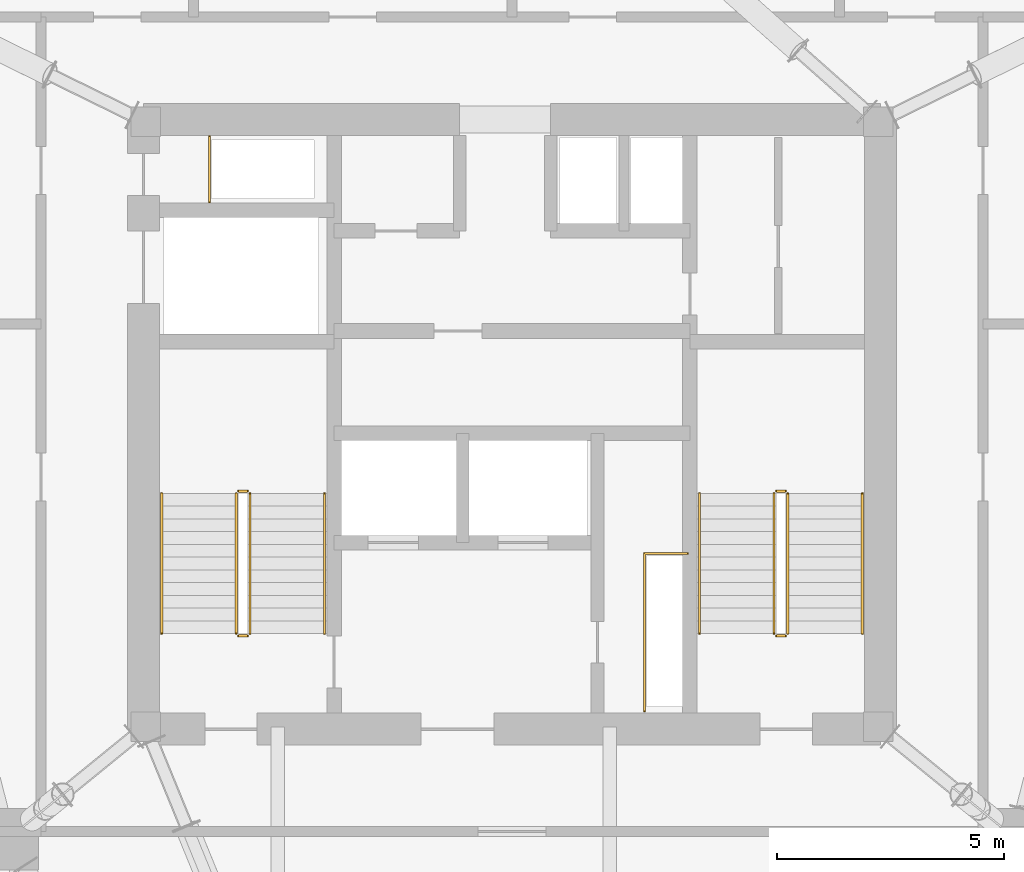
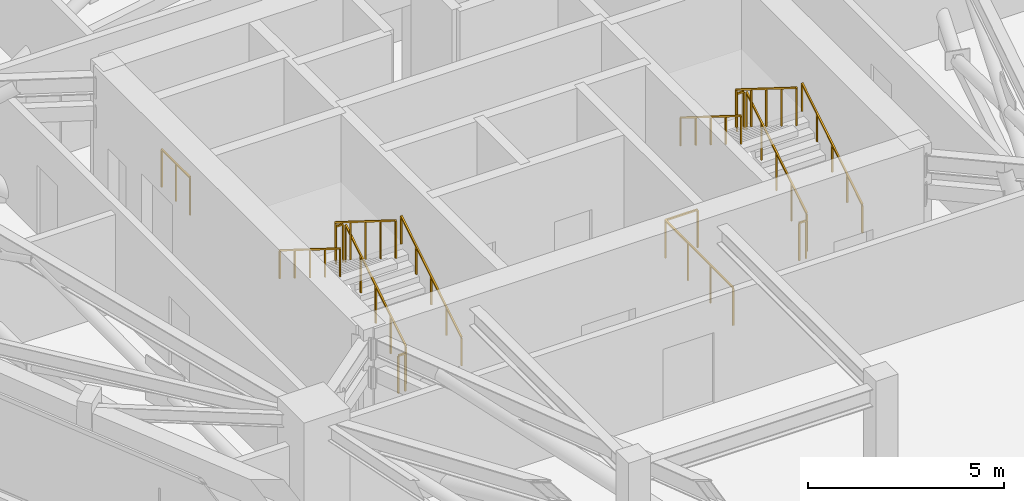
# One storey, part 12 of 12: 14 railings.
"""IFC4 building model written with IfcOpenShell, lengths in metres."""

from ifc_helpers import new_model, si_unit, direction, frame, origin, origin_2d, place, context, subcontext, project, spatial, rectangle, extrude, material, type_object, element, save


model = new_model("IFC4")

# Units and contexts
model_context = context("Model", 3, precision=1e-05, world=origin(), true_north=direction((0.0, 1.0)))
body_context = subcontext(model_context, "Body", "Model", "MODEL_VIEW")
ifc_project = project(units=[si_unit("LENGTHUNIT", "METRE"), si_unit("AREAUNIT", "SQUARE_METRE"), si_unit("VOLUMEUNIT", "CUBIC_METRE"), si_unit("PLANEANGLEUNIT", "RADIAN"), si_unit("MASSUNIT", "GRAM", prefix="KILO")], contexts=[model_context])

# Site, building, storey
site_placement = place(None, origin())
site = spatial("IfcSite", under=ifc_project, at=site_placement, CompositionType="ELEMENT")
building_placement = place(site_placement, origin())
building = spatial("IfcBuilding", under=site, at=building_placement, Name="Talyreon Biosciences Tower", CompositionType="ELEMENT")
storey_placement = place(building_placement, frame((0.0, 0.0, 223.199951171875)))
storey = spatial("IfcBuildingStorey", under=building, at=storey_placement, Name="L59", CompositionType="ELEMENT", Elevation=223.199951171875)

# Railings
ifc_material_1 = material(Name="Brushed stainless-steel tubular handrail", Category="steel")
railing_type_1 = type_object("IfcRailingType", Name="StairWallHandrail_900", PredefinedType="HANDRAIL", material=ifc_material_1)
railing_1_placement = place(storey_placement, frame((61.8798828125, 63.39990234375, 0.175048828125)))
element("IfcRailing", 1, at=railing_1_placement, inside=storey, type_object=railing_type_1, Name="L59 ST-1 stair handrail 1", PredefinedType="HANDRAIL", context=body_context, shape_type="SweptSolid", body=[
    extrude(rectangle(XDim=0.048095703125, YDim=0.048095703125, at=origin_2d()), frame((0.0, 0.0, 0.8759765625), z_axis=(0.0, 0.847998304005, 0.529998940003), x_axis=(-1.0, 0.0, 0.0)), (0.0, 0.0, 1.0), 3.632080078125),
    extrude(rectangle(XDim=0.0419921875, YDim=0.0419921875, at=origin_2d()), origin(), (0.0, 0.0, 1.0), 0.851806640625),
    extrude(rectangle(XDim=0.0419921875, YDim=0.0419921875, at=origin_2d()), frame((0.0, 0.77001953125, 0.481201171875)), (0.0, 0.0, 1.0), 0.851806640625),
    extrude(rectangle(XDim=0.0419921875, YDim=0.0419921875, at=origin_2d()), frame((0.0, 1.5400390625, 0.96240234375)), (0.0, 0.0, 1.0), 0.851806640625),
    extrude(rectangle(XDim=0.0419921875, YDim=0.0419921875, at=origin_2d()), frame((0.0, 2.31005859375, 1.44384765625)), (0.0, 0.0, 1.0), 0.851806640625),
    extrude(rectangle(XDim=0.0419921875, YDim=0.0419921875, at=origin_2d()), frame((0.0, 3.080078125, 1.925048828125)), (0.0, 0.0, 1.0), 0.851806640625),
])
railing_2_placement = place(storey_placement, frame((58.300048828125, 66.47998046875, 2.275146484375)))
element("IfcRailing", 2, at=railing_2_placement, inside=storey, type_object=railing_type_1, Name="L59 ST-1 stair handrail 2", PredefinedType="HANDRAIL", context=body_context, shape_type="SweptSolid", body=[
    extrude(rectangle(XDim=0.048095703125, YDim=0.048095703125, at=origin_2d()), frame((0.0, 0.0, 0.8759765625), z_axis=(0.0, -0.848028513186, 0.529950602248), x_axis=(1.0, 0.0, 0.0)), (0.0, 0.0, 1.0), 3.632080078125),
    extrude(rectangle(XDim=0.0419921875, YDim=0.0419921875, at=origin_2d()), origin(), (0.0, 0.0, 1.0), 0.851806640625),
    extrude(rectangle(XDim=0.0419921875, YDim=0.0419921875, at=origin_2d()), frame((0.0, -0.77001953125, 0.481201171875)), (0.0, 0.0, 1.0), 0.851806640625),
    extrude(rectangle(XDim=0.0419921875, YDim=0.0419921875, at=origin_2d()), frame((0.0, -1.5400390625, 0.96240234375)), (0.0, 0.0, 1.0), 0.851806640625),
    extrude(rectangle(XDim=0.0419921875, YDim=0.0419921875, at=origin_2d()), frame((0.0, -2.31005859375, 1.443603515625)), (0.0, 0.0, 1.0), 0.851806640625),
    extrude(rectangle(XDim=0.0419921875, YDim=0.0419921875, at=origin_2d()), frame((0.0, -3.080078125, 1.9248046875)), (0.0, 0.0, 1.0), 0.851806640625),
])
railing_3_placement = place(storey_placement, frame((73.699951171875, 63.39990234375, 0.175048828125)))
element("IfcRailing", 3, at=railing_3_placement, inside=storey, type_object=railing_type_1, Name="L59 ST-2 stair handrail 1", PredefinedType="HANDRAIL", context=body_context, shape_type="SweptSolid", body=[
    extrude(rectangle(XDim=0.048095703125, YDim=0.048095703125, at=origin_2d()), frame((0.0, 0.0, 0.8759765625), z_axis=(0.0, 0.847998304005, 0.529998940003), x_axis=(-1.0, 0.0, 0.0)), (0.0, 0.0, 1.0), 3.632080078125),
    extrude(rectangle(XDim=0.0419921875, YDim=0.0419921875, at=origin_2d()), origin(), (0.0, 0.0, 1.0), 0.851806640625),
    extrude(rectangle(XDim=0.0419921875, YDim=0.0419921875, at=origin_2d()), frame((0.0, 0.77001953125, 0.481201171875)), (0.0, 0.0, 1.0), 0.851806640625),
    extrude(rectangle(XDim=0.0419921875, YDim=0.0419921875, at=origin_2d()), frame((0.0, 1.5400390625, 0.96240234375)), (0.0, 0.0, 1.0), 0.851806640625),
    extrude(rectangle(XDim=0.0419921875, YDim=0.0419921875, at=origin_2d()), frame((0.0, 2.31005859375, 1.44384765625)), (0.0, 0.0, 1.0), 0.851806640625),
    extrude(rectangle(XDim=0.0419921875, YDim=0.0419921875, at=origin_2d()), frame((0.0, 3.080078125, 1.925048828125)), (0.0, 0.0, 1.0), 0.851806640625),
])
railing_4_placement = place(storey_placement, frame((70.1201171875, 66.47998046875, 2.275146484375)))
element("IfcRailing", 4, at=railing_4_placement, inside=storey, type_object=railing_type_1, Name="L59 ST-2 stair handrail 2", PredefinedType="HANDRAIL", context=body_context, shape_type="SweptSolid", body=[
    extrude(rectangle(XDim=0.048095703125, YDim=0.048095703125, at=origin_2d()), frame((0.0, 0.0, 0.8759765625), z_axis=(0.0, -0.848028513186, 0.529950602248), x_axis=(1.0, 0.0, 0.0)), (0.0, 0.0, 1.0), 3.632080078125),
    extrude(rectangle(XDim=0.0419921875, YDim=0.0419921875, at=origin_2d()), origin(), (0.0, 0.0, 1.0), 0.851806640625),
    extrude(rectangle(XDim=0.0419921875, YDim=0.0419921875, at=origin_2d()), frame((0.0, -0.77001953125, 0.481201171875)), (0.0, 0.0, 1.0), 0.851806640625),
    extrude(rectangle(XDim=0.0419921875, YDim=0.0419921875, at=origin_2d()), frame((0.0, -1.5400390625, 0.96240234375)), (0.0, 0.0, 1.0), 0.851806640625),
    extrude(rectangle(XDim=0.0419921875, YDim=0.0419921875, at=origin_2d()), frame((0.0, -2.31005859375, 1.443603515625)), (0.0, 0.0, 1.0), 0.851806640625),
    extrude(rectangle(XDim=0.0419921875, YDim=0.0419921875, at=origin_2d()), frame((0.0, -3.080078125, 1.9248046875)), (0.0, 0.0, 1.0), 0.851806640625),
])
ifc_material_2 = material(Name="Painted galvanised steel post-and-rail balustrade", Category="steel")
railing_type_2 = type_object("IfcRailingType", Name="TerraceStairGuard_1200", PredefinedType="GUARDRAIL", material=ifc_material_2)
railing_5_placement = place(storey_placement, frame((60.239990234375, 63.39990234375, 0.175048828125)))
element("IfcRailing", 5, at=railing_5_placement, inside=storey, type_object=railing_type_2, Name="L59 ST-1 stair guard 1", PredefinedType="GUARDRAIL", context=body_context, shape_type="SweptSolid", body=[
    extrude(rectangle(XDim=0.048095703125, YDim=0.048095703125, at=origin_2d()), frame((0.0, 0.0, 1.17578125), z_axis=(0.0, 0.847998304005, 0.529998940003), x_axis=(-1.0, 0.0, 0.0)), (0.0, 0.0, 1.0), 3.632080078125),
    extrude(rectangle(XDim=0.0419921875, YDim=0.0419921875, at=origin_2d()), origin(), (0.0, 0.0, 1.0), 1.15185546875),
    extrude(rectangle(XDim=0.0419921875, YDim=0.0419921875, at=origin_2d()), frame((0.0, 0.77001953125, 0.481201171875)), (0.0, 0.0, 1.0), 1.15185546875),
    extrude(rectangle(XDim=0.0419921875, YDim=0.0419921875, at=origin_2d()), frame((0.0, 1.5400390625, 0.96240234375)), (0.0, 0.0, 1.0), 1.15185546875),
    extrude(rectangle(XDim=0.0419921875, YDim=0.0419921875, at=origin_2d()), frame((0.0, 2.31005859375, 1.44384765625)), (0.0, 0.0, 1.0), 1.15185546875),
    extrude(rectangle(XDim=0.0419921875, YDim=0.0419921875, at=origin_2d()), frame((0.0, 3.080078125, 1.925048828125)), (0.0, 0.0, 1.0), 1.15185546875),
])
railing_6_placement = place(storey_placement, frame((60.18994140625, 66.530029296875, 2.10009765625)))
element("IfcRailing", 6, at=railing_6_placement, inside=storey, type_object=railing_type_2, Name="L59 ST-1 stair guard 2", PredefinedType="GUARDRAIL", context=body_context, shape_type="SweptSolid", body=[
    extrude(rectangle(XDim=0.048095703125, YDim=0.048095703125, at=origin_2d()), frame((0.0, 0.0, 1.17578125), z_axis=(-1.0, 0.0, 0.0), x_axis=(0.0, -1.0, 0.0)), (0.0, 0.0, 1.0), 0.199951171875),
    extrude(rectangle(XDim=0.0419921875, YDim=0.0419921875, at=origin_2d()), origin(), (0.0, 0.0, 1.0), 1.15185546875),
    extrude(rectangle(XDim=0.0419921875, YDim=0.0419921875, at=origin_2d()), frame((-0.199951171875, 0.0, 0.0)), (0.0, 0.0, 1.0), 1.15185546875),
])
railing_7_placement = place(storey_placement, frame((59.93994140625, 66.47998046875, 2.275146484375)))
element("IfcRailing", 7, at=railing_7_placement, inside=storey, type_object=railing_type_2, Name="L59 ST-1 stair guard 3", PredefinedType="GUARDRAIL", context=body_context, shape_type="SweptSolid", body=[
    extrude(rectangle(XDim=0.048095703125, YDim=0.048095703125, at=origin_2d()), frame((0.0, 0.0, 1.17578125), z_axis=(0.0, -0.848028513186, 0.529950602248), x_axis=(1.0, 0.0, 0.0)), (0.0, 0.0, 1.0), 3.632080078125),
    extrude(rectangle(XDim=0.0419921875, YDim=0.0419921875, at=origin_2d()), origin(), (0.0, 0.0, 1.0), 1.15185546875),
    extrude(rectangle(XDim=0.0419921875, YDim=0.0419921875, at=origin_2d()), frame((0.0, -0.77001953125, 0.481201171875)), (0.0, 0.0, 1.0), 1.15185546875),
    extrude(rectangle(XDim=0.0419921875, YDim=0.0419921875, at=origin_2d()), frame((0.0, -1.5400390625, 0.96240234375)), (0.0, 0.0, 1.0), 1.15185546875),
    extrude(rectangle(XDim=0.0419921875, YDim=0.0419921875, at=origin_2d()), frame((0.0, -2.31005859375, 1.443603515625)), (0.0, 0.0, 1.0), 1.15185546875),
    extrude(rectangle(XDim=0.0419921875, YDim=0.0419921875, at=origin_2d()), frame((0.0, -3.080078125, 1.9248046875)), (0.0, 0.0, 1.0), 1.15185546875),
])
railing_8_placement = place(storey_placement, frame((60.18994140625, 63.35009765625, 0.0)))
element("IfcRailing", 8, at=railing_8_placement, inside=storey, type_object=railing_type_2, Name="L59 ST-1 stair guard 4", PredefinedType="GUARDRAIL", context=body_context, shape_type="SweptSolid", body=[
    extrude(rectangle(XDim=0.048095703125, YDim=0.048095703125, at=origin_2d()), frame((0.0, 0.0, 1.17578125), z_axis=(-1.0, 0.0, 0.0), x_axis=(0.0, -1.0, 0.0)), (0.0, 0.0, 1.0), 0.199951171875),
    extrude(rectangle(XDim=0.0419921875, YDim=0.0419921875, at=origin_2d()), origin(), (0.0, 0.0, 1.0), 1.15185546875),
    extrude(rectangle(XDim=0.0419921875, YDim=0.0419921875, at=origin_2d()), frame((-0.199951171875, 0.0, 0.0)), (0.0, 0.0, 1.0), 1.15185546875),
])
railing_9_placement = place(storey_placement, frame((72.06005859375, 63.39990234375, 0.175048828125)))
element("IfcRailing", 9, at=railing_9_placement, inside=storey, type_object=railing_type_2, Name="L59 ST-2 stair guard 1", PredefinedType="GUARDRAIL", context=body_context, shape_type="SweptSolid", body=[
    extrude(rectangle(XDim=0.048095703125, YDim=0.048095703125, at=origin_2d()), frame((0.0, 0.0, 1.17578125), z_axis=(0.0, 0.847998304005, 0.529998940003), x_axis=(-1.0, 0.0, 0.0)), (0.0, 0.0, 1.0), 3.632080078125),
    extrude(rectangle(XDim=0.0419921875, YDim=0.0419921875, at=origin_2d()), origin(), (0.0, 0.0, 1.0), 1.15185546875),
    extrude(rectangle(XDim=0.0419921875, YDim=0.0419921875, at=origin_2d()), frame((0.0, 0.77001953125, 0.481201171875)), (0.0, 0.0, 1.0), 1.15185546875),
    extrude(rectangle(XDim=0.0419921875, YDim=0.0419921875, at=origin_2d()), frame((0.0, 1.5400390625, 0.96240234375)), (0.0, 0.0, 1.0), 1.15185546875),
    extrude(rectangle(XDim=0.0419921875, YDim=0.0419921875, at=origin_2d()), frame((0.0, 2.31005859375, 1.44384765625)), (0.0, 0.0, 1.0), 1.15185546875),
    extrude(rectangle(XDim=0.0419921875, YDim=0.0419921875, at=origin_2d()), frame((0.0, 3.080078125, 1.925048828125)), (0.0, 0.0, 1.0), 1.15185546875),
])
railing_10_placement = place(storey_placement, frame((72.010009765625, 66.530029296875, 2.10009765625)))
element("IfcRailing", 10, at=railing_10_placement, inside=storey, type_object=railing_type_2, Name="L59 ST-2 stair guard 2", PredefinedType="GUARDRAIL", context=body_context, shape_type="SweptSolid", body=[
    extrude(rectangle(XDim=0.048095703125, YDim=0.048095703125, at=origin_2d()), frame((0.0, 0.0, 1.17578125), z_axis=(-1.0, 0.0, 0.0), x_axis=(0.0, -1.0, 0.0)), (0.0, 0.0, 1.0), 0.199951171875),
    extrude(rectangle(XDim=0.0419921875, YDim=0.0419921875, at=origin_2d()), origin(), (0.0, 0.0, 1.0), 1.15185546875),
    extrude(rectangle(XDim=0.0419921875, YDim=0.0419921875, at=origin_2d()), frame((-0.199951171875, 0.0, 0.0)), (0.0, 0.0, 1.0), 1.15185546875),
])
railing_11_placement = place(storey_placement, frame((71.760009765625, 66.47998046875, 2.275146484375)))
element("IfcRailing", 11, at=railing_11_placement, inside=storey, type_object=railing_type_2, Name="L59 ST-2 stair guard 3", PredefinedType="GUARDRAIL", context=body_context, shape_type="SweptSolid", body=[
    extrude(rectangle(XDim=0.048095703125, YDim=0.048095703125, at=origin_2d()), frame((0.0, 0.0, 1.17578125), z_axis=(0.0, -0.848028513186, 0.529950602248), x_axis=(1.0, 0.0, 0.0)), (0.0, 0.0, 1.0), 3.632080078125),
    extrude(rectangle(XDim=0.0419921875, YDim=0.0419921875, at=origin_2d()), origin(), (0.0, 0.0, 1.0), 1.15185546875),
    extrude(rectangle(XDim=0.0419921875, YDim=0.0419921875, at=origin_2d()), frame((0.0, -0.77001953125, 0.481201171875)), (0.0, 0.0, 1.0), 1.15185546875),
    extrude(rectangle(XDim=0.0419921875, YDim=0.0419921875, at=origin_2d()), frame((0.0, -1.5400390625, 0.96240234375)), (0.0, 0.0, 1.0), 1.15185546875),
    extrude(rectangle(XDim=0.0419921875, YDim=0.0419921875, at=origin_2d()), frame((0.0, -2.31005859375, 1.443603515625)), (0.0, 0.0, 1.0), 1.15185546875),
    extrude(rectangle(XDim=0.0419921875, YDim=0.0419921875, at=origin_2d()), frame((0.0, -3.080078125, 1.9248046875)), (0.0, 0.0, 1.0), 1.15185546875),
])
railing_12_placement = place(storey_placement, frame((72.010009765625, 63.35009765625, 0.0)))
element("IfcRailing", 12, at=railing_12_placement, inside=storey, type_object=railing_type_2, Name="L59 ST-2 stair guard 4", PredefinedType="GUARDRAIL", context=body_context, shape_type="SweptSolid", body=[
    extrude(rectangle(XDim=0.048095703125, YDim=0.048095703125, at=origin_2d()), frame((0.0, 0.0, 1.17578125), z_axis=(-1.0, 0.0, 0.0), x_axis=(0.0, -1.0, 0.0)), (0.0, 0.0, 1.0), 0.199951171875),
    extrude(rectangle(XDim=0.0419921875, YDim=0.0419921875, at=origin_2d()), origin(), (0.0, 0.0, 1.0), 1.15185546875),
    extrude(rectangle(XDim=0.0419921875, YDim=0.0419921875, at=origin_2d()), frame((-0.199951171875, 0.0, 0.0)), (0.0, 0.0, 1.0), 1.15185546875),
])
railing_13_placement = place(storey_placement, frame((59.35009765625, 72.8798828125, 0.0)))
element("IfcRailing", 13, at=railing_13_placement, inside=storey, type_object=railing_type_2, Name="L59 Exhaust Riser Maintenance Guardrail", PredefinedType="GUARDRAIL", context=body_context, shape_type="SweptSolid", body=[
    extrude(rectangle(XDim=0.048095703125, YDim=0.048095703125, at=origin_2d()), frame((0.0, 0.0, 1.17578125), z_axis=(0.0, 1.0, 0.0), x_axis=(-1.0, 0.0, 0.0)), (0.0, 0.0, 1.0), 1.4501953125),
    extrude(rectangle(XDim=0.0419921875, YDim=0.0419921875, at=origin_2d()), origin(), (0.0, 0.0, 1.0), 1.15185546875),
    extrude(rectangle(XDim=0.0419921875, YDim=0.0419921875, at=origin_2d()), frame((0.0, 0.72509765625, 0.0)), (0.0, 0.0, 1.0), 1.15185546875),
    extrude(rectangle(XDim=0.0419921875, YDim=0.0419921875, at=origin_2d()), frame((0.0, 1.4501953125, 0.0)), (0.0, 0.0, 1.0), 1.15185546875),
])
railing_14_placement = place(storey_placement, frame((68.909912109375, 61.699951171875, 0.0)))
element("IfcRailing", 14, at=railing_14_placement, inside=storey, type_object=railing_type_2, Name="L59 Electrical Riser Maintenance Guardrail", PredefinedType="GUARDRAIL", context=body_context, shape_type="SweptSolid", body=[
    extrude(rectangle(XDim=0.048095703125, YDim=0.048095703125, at=origin_2d()), frame((0.0, 0.0, 1.17578125), z_axis=(0.0, 1.0, 0.0), x_axis=(-1.0, 0.0, 0.0)), (0.0, 0.0, 1.0), 3.4599609375),
    extrude(rectangle(XDim=0.048095703125, YDim=0.048095703125, at=origin_2d()), frame((0.0, 3.4599609375, 1.17578125), z_axis=(1.0, 0.0, 0.0), x_axis=(0.0, 1.0, 0.0)), (0.0, 0.0, 1.0), 0.9501953125),
    extrude(rectangle(XDim=0.0419921875, YDim=0.0419921875, at=origin_2d()), origin(), (0.0, 0.0, 1.0), 1.15185546875),
    extrude(rectangle(XDim=0.0419921875, YDim=0.0419921875, at=origin_2d()), frame((0.0, 1.1533203125, 0.0)), (0.0, 0.0, 1.0), 1.15185546875),
    extrude(rectangle(XDim=0.0419921875, YDim=0.0419921875, at=origin_2d()), frame((0.0, 2.306640625, 0.0)), (0.0, 0.0, 1.0), 1.15185546875),
    extrude(rectangle(XDim=0.0419921875, YDim=0.0419921875, at=origin_2d()), frame((0.0, 3.4599609375, 0.0)), (0.0, 0.0, 1.0), 1.15185546875),
    extrude(rectangle(XDim=0.0419921875, YDim=0.0419921875, at=origin_2d()), frame((0.9501953125, 3.4599609375, 0.0)), (0.0, 0.0, 1.0), 1.15185546875),
])

save(model, "model.ifc")
